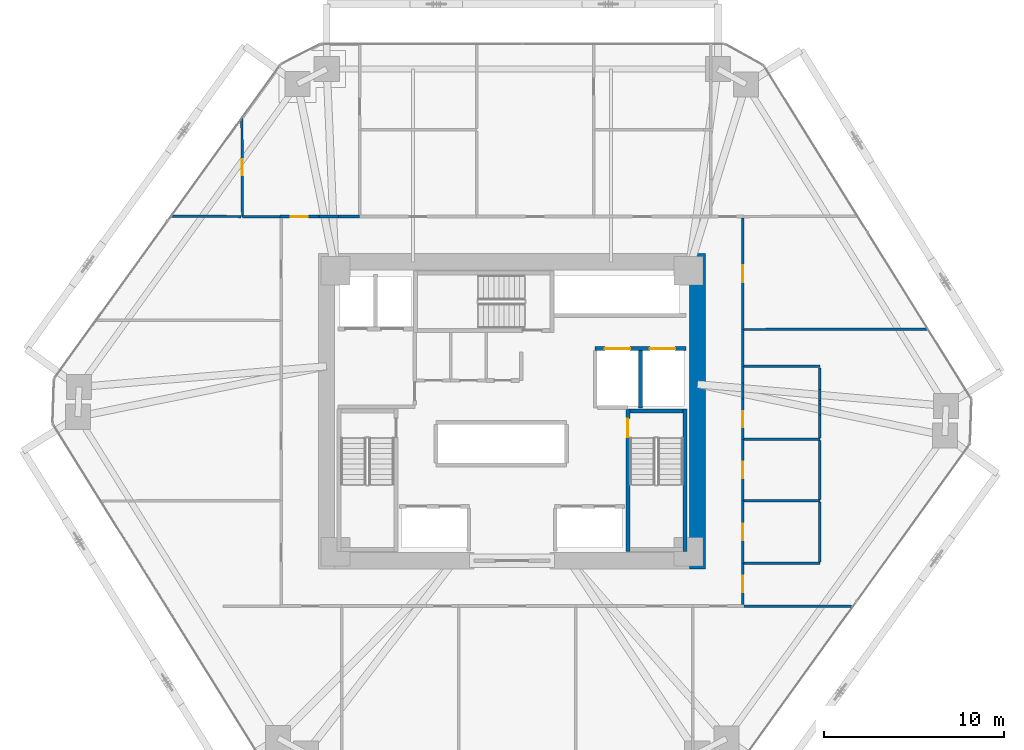
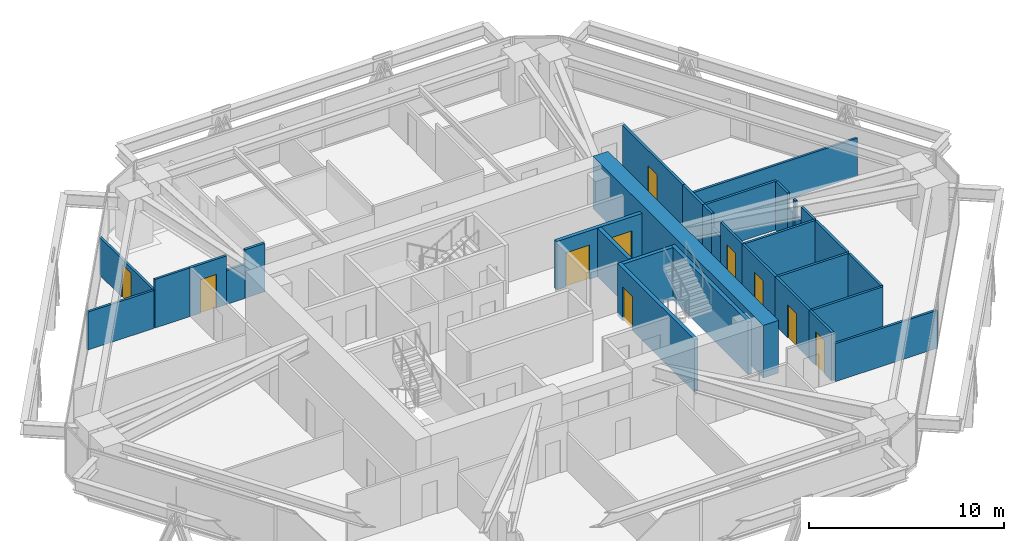
# One storey, part 15 of 17: 33 walls, 10 doors, 10 openings.
"""IFC4 building model written with IfcOpenShell, lengths in metres."""

import ifcopenshell
import ifcopenshell.guid

model = None  # the IFC model being written
_history = None  # IfcOwnerHistory: only IFC2X3 demands one
_inside = {}  # id of a spatial element -> (the spatial element, [elements in it])
_under = {}  # id of a project, library or spatial element -> (it, [spatial elements below it])
_declared = {}  # id of a project -> (the project, [libraries it declares])
_typed = {}  # id of a type object -> (the type object, [elements of that type])
_made_of = {}  # id of a material, layer set ... -> (it, [elements and type objects made of it])


def new_model(schema):
    """Start an empty IFC model of exactly this schema.

    Asked for "IFC4X3", IfcOpenShell would pick the latest addendum, in which some entities
    have other attributes; the version numbers below select the first issue.
    IFC2X3 requires an IfcOwnerHistory on every rooted entity: one is made here for all.
    """
    global model, _history
    if schema == "IFC4X3":
        model = ifcopenshell.file(schema_version=(4, 3, 0, 0))
    else:
        model = ifcopenshell.file(schema=schema)
    _inside.clear()
    _under.clear()
    _declared.clear()
    _typed.clear()
    _made_of.clear()
    _history = None
    if model.schema == "IFC2X3":
        org = make("IfcOrganization", Name="unknown")
        user = make(
            "IfcPersonAndOrganization",
            ThePerson=make("IfcPerson", FamilyName="unknown"),
            TheOrganization=org,
        )
        app = make(
            "IfcApplication",
            ApplicationDeveloper=org,
            Version="unknown",
            ApplicationFullName="unknown",
            ApplicationIdentifier="unknown",
        )
        _history = make(
            "IfcOwnerHistory",
            OwningUser=user,
            OwningApplication=app,
            ChangeAction="ADDED",
            CreationDate=0,
        )
    return model


def make(cls, **values):
    """One entity of the class cls with the attributes given. An attribute that is None is left unset."""
    return model.create_entity(
        cls, **{name: value for name, value in values.items() if value is not None}
    )


def rooted(cls, **values):
    """An entity with a GlobalId (a new one), such as an element, a storey or a relation."""
    return make(cls, GlobalId=ifcopenshell.guid.new(), OwnerHistory=_history, **values)


def si_unit(unit_type, name, prefix=None):
    """IfcSIUnit, for example si_unit("LENGTHUNIT", "METRE", prefix="MILLI")."""
    return make("IfcSIUnit", UnitType=unit_type, Prefix=prefix, Name=name)


def assignment(units):
    """IfcUnitAssignment: the units of a project."""
    return None if units is None else make("IfcUnitAssignment", Units=units)


def point(xyz):
    """IfcCartesianPoint."""
    return None if xyz is None else make("IfcCartesianPoint", Coordinates=xyz)


def direction(xyz):
    """IfcDirection."""
    return None if xyz is None else make("IfcDirection", DirectionRatios=xyz)


def frame(location, z_axis=None, x_axis=None):
    """IfcAxis2Placement3D, a coordinate frame: its origin and axes. An axis left out is left unset."""
    return make(
        "IfcAxis2Placement3D",
        Location=point(location),
        Axis=direction(z_axis),
        RefDirection=direction(x_axis),
    )


def frame_2d(location, x_axis=None):
    """IfcAxis2Placement2D, a coordinate frame in the plane: its origin and x axis."""
    return make(
        "IfcAxis2Placement2D", Location=point(location), RefDirection=direction(x_axis)
    )


def origin():
    """The frame at (0, 0, 0) with its axes left unset."""
    return frame((0.0, 0.0, 0.0))


def place(relative_to, where):
    """IfcLocalPlacement: puts the frame where relative to a parent placement (None: the world)."""
    return make(
        "IfcLocalPlacement", PlacementRelTo=relative_to, RelativePlacement=where
    )


def context(
    kind, dimensions, precision=None, world=None, true_north=None, identifier=None
):
    """IfcGeometricRepresentationContext, for example the 3D "Model" context."""
    return make(
        "IfcGeometricRepresentationContext",
        ContextIdentifier=identifier,
        ContextType=kind,
        CoordinateSpaceDimension=dimensions,
        Precision=precision,
        WorldCoordinateSystem=world,
        TrueNorth=true_north,
    )


def subcontext(parent, identifier, kind, view, scale=None):
    """IfcGeometricRepresentationSubContext, for example "Body" below "Model"."""
    return make(
        "IfcGeometricRepresentationSubContext",
        ContextIdentifier=identifier,
        ContextType=kind,
        ParentContext=parent,
        TargetScale=scale,
        TargetView=view,
    )


def project(units=None, contexts=None):
    """IfcProject with its units and contexts."""
    return rooted(
        "IfcProject",
        Name="project",
        RepresentationContexts=contexts,
        UnitsInContext=assignment(units),
    )


def spatial(cls, under=None, at=None, **own):
    """A site, building, storey or space (cls), placed at a placement, below another one or the project."""
    s = rooted(cls, ObjectPlacement=at, **own)
    if under is not None:
        _under.setdefault(under.id(), (under, []))[1].append(s)
    return s


def profile(cls, at=None, kind="AREA", **sizes):
    """A parametric profile (cls). Its sizes go by their IFC names, for example OverallWidth=200.0."""
    return make(cls, ProfileType=kind, Position=at, **sizes)


def rectangle(**sizes):
    """IfcRectangleProfileDef."""
    return profile("IfcRectangleProfileDef", **sizes)


def extrude(swept, where, along, depth):
    """IfcExtrudedAreaSolid: the profile swept, set in the frame where, extruded along a direction by depth."""
    return make(
        "IfcExtrudedAreaSolid",
        SweptArea=swept,
        Position=where,
        ExtrudedDirection=direction(along),
        Depth=depth,
    )


def shape(context_of_items, identifier, shape_type, items):
    """IfcShapeRepresentation: the items that make up one representation, for example the "Body"."""
    return make(
        "IfcShapeRepresentation",
        ContextOfItems=context_of_items,
        RepresentationIdentifier=identifier,
        RepresentationType=shape_type,
        Items=items,
    )


def source(mapping_origin, context_of_items, identifier, shape_type, items):
    """IfcRepresentationMap: a shape defined once, which mapped items show again and again."""
    return make(
        "IfcRepresentationMap",
        MappingOrigin=mapping_origin,
        MappedRepresentation=shape(context_of_items, identifier, shape_type, items),
    )


def transform(
    local_origin,
    x_axis=None,
    y_axis=None,
    z_axis=None,
    scale=None,
    scale2=None,
    scale3=None,
    uniform=True,
):
    """IfcCartesianTransformationOperator3D, or its non-uniform kind. x_axis, y_axis, z_axis: its Axis1, 2, 3."""
    if uniform:
        return make(
            "IfcCartesianTransformationOperator3D",
            Axis1=direction(x_axis),
            Axis2=direction(y_axis),
            LocalOrigin=point(local_origin),
            Scale=scale,
            Axis3=direction(z_axis),
        )
    return make(
        "IfcCartesianTransformationOperator3DnonUniform",
        Axis1=direction(x_axis),
        Axis2=direction(y_axis),
        LocalOrigin=point(local_origin),
        Scale=scale,
        Axis3=direction(z_axis),
        Scale2=scale2,
        Scale3=scale3,
    )


def mapped(mapping_source, mapping_target):
    """IfcMappedItem: shows the shape of a source again, moved by a transform."""
    return make(
        "IfcMappedItem", MappingSource=mapping_source, MappingTarget=mapping_target
    )


def material(Name=None, Category=None):
    """IfcMaterial."""
    return make("IfcMaterial", Name=Name, Category=Category)


def layer(
    of_material, thickness, ventilated=None, Name=None, Category=None, Priority=None
):
    """IfcMaterialLayer: one layer of a wall or slab, of a material (None: an air gap)."""
    return make(
        "IfcMaterialLayer",
        Material=of_material,
        LayerThickness=thickness,
        IsVentilated=ventilated,
        Name=Name,
        Category=Category,
        Priority=Priority,
    )


def layer_set(layers, Name=None):
    """IfcMaterialLayerSet."""
    return make("IfcMaterialLayerSet", MaterialLayers=layers, LayerSetName=Name)


def made_of(thing, what):
    """Note that an element or type object is made of a material, layer set ...; save() writes the relation."""
    if what is not None:
        _made_of.setdefault(what.id(), (what, []))[1].append(thing)
    return thing


def type_object(cls, material=None, **own):
    """A type object (cls), such as IfcWallType, which elements share."""
    return made_of(rooted(cls, **own), material)


def type_shapes(of_type, sources):
    """Give a type object the sources (RepresentationMaps) that its elements show as mapped items."""
    of_type.RepresentationMaps = sources


def element(
    cls,
    number,
    at=None,
    inside=None,
    cuts=None,
    type_object=None,
    material=None,
    context=None,
    identifier="Body",
    shape_type=None,
    held_by="IfcProductDefinitionShape",
    body=None,
    shapes=None,
    **own,
):
    """One element of the class cls, such as IfcWall. Its Tag is "e" and its number.

    at: its placement. inside: the storey or other place that contains it. cuts: it is an
    opening in that element (IfcRelVoidsElement). A single representation is given by context,
    identifier, shape_type and body (its items); several are given by shapes. held_by: the class
    of the entity that holds the representations. save() writes the other relations.
    """
    e = rooted(cls, Tag="e%d" % number, ObjectPlacement=at, **own)
    if body is not None:
        shapes = [shape(context, identifier, shape_type, body)]
    if shapes is not None:
        e.Representation = make(held_by, Representations=shapes)
    if inside is not None:
        _inside.setdefault(inside.id(), (inside, []))[1].append(e)
    if cuts is not None:
        rooted(
            "IfcRelVoidsElement", RelatingBuildingElement=cuts, RelatedOpeningElement=e
        )
    if type_object is not None:
        _typed.setdefault(type_object.id(), (type_object, []))[1].append(e)
    return made_of(e, material)


def fill(opening, filler):
    """IfcRelFillsElement: the door or window that sits in an opening."""
    return rooted(
        "IfcRelFillsElement",
        RelatingOpeningElement=opening,
        RelatedBuildingElement=filler,
    )


def aggregate(whole, parts):
    """IfcRelAggregates: a whole, such as a stair, and the parts it consists of."""
    return rooted("IfcRelAggregates", RelatingObject=whole, RelatedObjects=parts)


def save(model, path):
    """Write the relations noted so far, then the file.

    IfcRelAggregates (storeys below a building ...), IfcRelContainedInSpatialStructure (elements
    in a storey), IfcRelDefinesByType, IfcRelAssociatesMaterial and IfcRelDeclares: one each for
    every whole, place, type object, material and project.
    """
    for whole, parts in _under.values():
        aggregate(whole, parts)
    for where, things in _inside.values():
        rooted(
            "IfcRelContainedInSpatialStructure",
            RelatedElements=things,
            RelatingStructure=where,
        )
    for kind, things in _typed.values():
        rooted("IfcRelDefinesByType", RelatedObjects=things, RelatingType=kind)
    for what, things in _made_of.values():
        rooted("IfcRelAssociatesMaterial", RelatedObjects=things, RelatingMaterial=what)
    for by, libraries in _declared.values():
        rooted("IfcRelDeclares", RelatingContext=by, RelatedDefinitions=libraries)
    model.write(path)


model = new_model("IFC4")

# Units and contexts
model_context = context("Model", 3, precision=1e-05, world=origin(), true_north=direction((0.0, 1.0)))
body_context = subcontext(model_context, "Body", "Model", "MODEL_VIEW")
ifc_project = project(units=[si_unit("LENGTHUNIT", "METRE"), si_unit("AREAUNIT", "SQUARE_METRE"), si_unit("VOLUMEUNIT", "CUBIC_METRE"), si_unit("PLANEANGLEUNIT", "RADIAN"), si_unit("MASSUNIT", "GRAM", prefix="KILO")], contexts=[model_context])

# Site, building, storey
site_placement = place(None, origin())
site = spatial("IfcSite", under=ifc_project, at=site_placement, CompositionType="ELEMENT")
building_placement = place(site_placement, origin())
building = spatial("IfcBuilding", under=site, at=building_placement, Name="Durnholm Broadcast Tower", CompositionType="ELEMENT")
storey_placement = place(building_placement, frame((0.0, 0.0, 39.0)))
storey = spatial("IfcBuildingStorey", under=building, at=storey_placement, Name="L08", CompositionType="ELEMENT", Elevation=39.0)

# Wall
ifc_material_1 = material(Name="Concrete C70/85", Category="concrete")
ifc_layer_1 = layer(ifc_material_1, 0.89990234375)
ifc_layer_set_1 = layer_set([ifc_layer_1], Name="Concrete C70/85")
wall_type_1 = type_object("IfcWallType", Name="WALL-CW-900", PredefinedType="SHEAR", material=ifc_layer_set_1)
wall_1_placement = place(storey_placement, frame((10.300048828125, -8.75, 0.0), z_axis=(0.0, 0.0, 1.0), x_axis=(0.0, 1.0, 0.0)))
element("IfcWall", 1, at=wall_1_placement, inside=storey, type_object=wall_type_1, Name="L08 central core shear wall CW-EAST", PredefinedType="SHEAR", context=body_context, shape_type="SweptSolid", body=[
    extrude(rectangle(XDim=17.5, YDim=0.89990234375, at=frame_2d((8.75, 0.0))), origin(), (0.0, 0.0, 1.0), 3.300048828125),
])

# Wall, opening, door
ifc_material_2 = material(Name="Gypsum Metal Stud Partition", Category="concrete")
ifc_layer_2 = layer(ifc_material_2, 0.135009765625)
ifc_layer_set_2 = layer_set([ifc_layer_2], Name="Gypsum Metal Stud Partition")
wall_type_2 = type_object("IfcWallType", Name="WALL-PART-135", PredefinedType="PARTITIONING", material=ifc_layer_set_2)
wall_2_placement = place(storey_placement, frame((-14.992431640625, 16.283447265625, 0.0), z_axis=(0.0, 0.0, 1.0), x_axis=(0.005932363604, -0.999982403376, 0.0)))
wall_2 = element("IfcWall", 2, at=wall_2_placement, inside=storey, type_object=wall_type_2, Name="L08 room dividing partition 7.8", PredefinedType="PARTITIONING", context=body_context, shape_type="SweptSolid", body=[
    extrude(rectangle(XDim=5.473388671875, YDim=0.135009765625, at=frame_2d((2.73681640625, 0.0))), origin(), (0.0, 0.0, 1.0), 2.3798828125),
])
opening_1_placement = place(wall_2_placement, frame((2.286865234375, 0.0, 0.0)))
opening_1 = element("IfcOpeningElement", 3, at=opening_1_placement, cuts=wall_2, Name="Opening DW-90L", PredefinedType="OPENING", context=body_context, shape_type="SweptSolid", body=[
    extrude(rectangle(XDim=0.89990234375, YDim=2.050048828125, at=frame_2d((0.449951171875, 1.02490234375))), frame((0.0, 0.07763671875, 0.0), z_axis=(0.0, -1.0, 0.0), x_axis=(1.0, 0.0, 0.0)), (0.0, 0.0, 1.0), 0.155029296875),
])
ifc_material_3 = material(Name="Laminate Restroom Door", Category="steel")
ifc_layer_3 = layer(ifc_material_3, 0.050048828125)
ifc_layer_set_3 = layer_set([ifc_layer_3], Name="Laminate Restroom Door")
door_type_1 = type_object("IfcDoorType", Name="DOOR-WC-900L", OperationType="NOTDEFINED", PredefinedType="DOOR", material=ifc_layer_set_3)
shared_shape_1 = source(origin(), body_context, "Body", "SweptSolid", [
    extrude(rectangle(XDim=0.89990234375, YDim=2.050048828125, at=frame_2d((0.449951171875, 1.02490234375))), frame((0.0, 0.02490234375, 0.0), z_axis=(0.0, -1.0, 0.0), x_axis=(1.0, 0.0, 0.0)), (0.0, 0.0, 1.0), 0.050048828125),
])
type_shapes(door_type_1, [shared_shape_1])
door_1_placement = place(opening_1_placement, origin())
door_1 = element("IfcDoor", 4, at=door_1_placement, inside=storey, type_object=door_type_1, Name="L08 Video Edit Office 1 connecting door", OperationType="SINGLE_SWING_LEFT", OverallHeight=2.050048828125, OverallWidth=0.89990234375, PredefinedType="DOOR", context=body_context, shape_type="MappedRepresentation", body=[
    mapped(shared_shape_1, transform((0.0, 0.0, 0.0), x_axis=(1.0, 0.0, 0.0), y_axis=(0.0, 1.0, 0.0), z_axis=(0.0, 0.0, 1.0), scale=1.0)),
])
fill(opening_1, door_1)

# Walls
wall_3_placement = place(storey_placement, frame((-15.031494140625, 10.810302734375, 0.0), z_axis=(0.0, 0.0, 1.0), x_axis=(-0.999982229424, 0.005961613542, 0.0)))
element("IfcWall", 5, at=wall_3_placement, inside=storey, type_object=wall_type_2, Name="L08 room dividing partition 7.22", PredefinedType="PARTITIONING", context=body_context, shape_type="SweptSolid", body=[
    extrude(rectangle(XDim=3.890380859375, YDim=0.135009765625, at=frame_2d((1.9453125, 0.0))), origin(), (0.0, 0.0, 1.0), 2.3798828125),
])
wall_4_placement = place(storey_placement, frame((-12.889892578125, 10.81005859375, 0.0), z_axis=(0.0, 0.0, 1.0), x_axis=(-1.0, 0.0, 0.0)))
element("IfcWall", 6, at=wall_4_placement, inside=storey, type_object=wall_type_2, Name="L08 room dividing partition 8.22", PredefinedType="PARTITIONING", context=body_context, shape_type="SweptSolid", body=[
    extrude(rectangle(XDim=2.070068359375, YDim=0.135009765625, at=frame_2d((1.03515625, 0.0))), origin(), (0.0, 0.0, 1.0), 3.044921875),
])
wall_5_placement = place(storey_placement, frame((12.889892578125, -10.810302734375, 0.0), z_axis=(0.0, 0.0, 1.0), x_axis=(0.999992607823, -0.003845035728, 0.0)))
element("IfcWall", 7, at=wall_5_placement, inside=storey, type_object=wall_type_2, Name="L08 room dividing partition 19.23", PredefinedType="PARTITIONING", context=body_context, shape_type="SweptSolid", body=[
    extrude(rectangle(XDim=6.031982421875, YDim=0.135009765625, at=frame_2d((3.01611328125, 0.0))), origin(), (0.0, 0.0, 1.0), 2.3798828125),
])
wall_6_placement = place(storey_placement, frame((12.888916015625, 4.540283203125, 0.0), z_axis=(0.0, 0.0, 1.0), x_axis=(0.99999792939, 0.002034997821, 0.0)))
element("IfcWall", 8, at=wall_6_placement, inside=storey, type_object=wall_type_2, Name="L08 room dividing partition 23.24", PredefinedType="PARTITIONING", context=body_context, shape_type="SweptSolid", body=[
    extrude(rectangle(XDim=10.197509765625, YDim=0.135009765625, at=frame_2d((5.0986328125, 0.0))), origin(), (0.0, 0.0, 1.0), 2.3798828125),
])
ifc_material_4 = material(Name="Acoustic Gypsum Stud Partition", Category="concrete")
ifc_layer_4 = layer(ifc_material_4, 0.14990234375)
ifc_layer_set_4 = layer_set([ifc_layer_4], Name="Acoustic Gypsum Stud Partition")
wall_type_3 = type_object("IfcWallType", Name="WALL-PART-150", PredefinedType="PARTITIONING", material=ifc_layer_set_4)
wall_7_placement = place(storey_placement, frame((-8.4599609375, 10.81005859375, 0.0), z_axis=(0.0, 0.0, 1.0), x_axis=(-1.0, 0.0, 0.0)))
element("IfcWall", 9, at=wall_7_placement, inside=storey, type_object=wall_type_3, Name="L08 Video Edit Office 2 corridor partition", PredefinedType="PARTITIONING", context=body_context, shape_type="SweptSolid", body=[
    extrude(rectangle(XDim=1.16748046875, YDim=0.14990234375, at=frame_2d((0.583740234375, 0.0))), origin(), (0.0, 0.0, 1.0), 3.044921875),
])

# Wall, opening, door
wall_8_placement = place(storey_placement, frame((-10.719970703125, 10.81005859375, 0.0), z_axis=(0.0, 0.0, 1.0), x_axis=(-1.0, 0.0, 0.0)))
wall_8 = element("IfcWall", 10, at=wall_8_placement, inside=storey, type_object=wall_type_3, Name="L08 Video Edit Office 2 corridor partition", PredefinedType="PARTITIONING", context=body_context, shape_type="SweptSolid", body=[
    extrude(rectangle(XDim=2.169921875, YDim=0.14990234375, at=frame_2d((1.0849609375, 0.0))), origin(), (0.0, 0.0, 1.0), 3.044921875),
])
opening_2_placement = place(wall_8_placement, frame((0.610107421875, 0.0, 0.0)))
opening_2 = element("IfcOpeningElement", 11, at=opening_2_placement, cuts=wall_8, Name="Opening DR-95L", PredefinedType="OPENING", context=body_context, shape_type="SweptSolid", body=[
    extrude(rectangle(XDim=0.949951171875, YDim=2.10009765625, at=frame_2d((0.47509765625, 1.050048828125))), frame((0.0, 0.0849609375, 0.0), z_axis=(0.0, -1.0, 0.0), x_axis=(1.0, 0.0, 0.0)), (0.0, 0.0, 1.0), 0.169921875),
])
ifc_material_5 = material(Name="Acoustic Oak Veneer Timber Door", Category="wood")
ifc_layer_5 = layer(ifc_material_5, 0.050048828125)
ifc_layer_set_5 = layer_set([ifc_layer_5], Name="Acoustic Oak Veneer Timber Door")
door_type_2 = type_object("IfcDoorType", Name="DOOR-RM-950L", OperationType="NOTDEFINED", PredefinedType="DOOR", material=ifc_layer_set_5)
shared_shape_2 = source(origin(), body_context, "Body", "SweptSolid", [
    extrude(rectangle(XDim=0.949951171875, YDim=2.10009765625, at=frame_2d((0.47509765625, 1.050048828125))), frame((0.0, 0.02490234375, 0.0), z_axis=(0.0, -1.0, 0.0), x_axis=(1.0, 0.0, 0.0)), (0.0, 0.0, 1.0), 0.050048828125),
])
type_shapes(door_type_2, [shared_shape_2])
door_2_placement = place(opening_2_placement, origin())
door_2 = element("IfcDoor", 12, at=door_2_placement, inside=storey, type_object=door_type_2, Name="L08 Video Edit Office 2 entrance door", OperationType="SINGLE_SWING_LEFT", OverallHeight=2.10009765625, OverallWidth=0.949951171875, PredefinedType="DOOR", context=body_context, shape_type="MappedRepresentation", body=[
    mapped(shared_shape_2, transform((0.0, 0.0, 0.0), x_axis=(1.0, 0.0, 0.0), y_axis=(0.0, 1.0, 0.0), z_axis=(0.0, 0.0, 1.0), scale=1.0)),
])
fill(opening_2, door_2)

# Wall
wall_9_placement = place(storey_placement, frame((-9.62744140625, 10.81005859375, 0.0), z_axis=(0.0, 0.0, 1.0), x_axis=(-1.0, 0.0, 0.0)))
element("IfcWall", 13, at=wall_9_placement, inside=storey, type_object=wall_type_3, Name="L08 Video Edit Office 2 corridor partition", PredefinedType="PARTITIONING", context=body_context, shape_type="SweptSolid", body=[
    extrude(rectangle(XDim=1.092529296875, YDim=0.14990234375, at=frame_2d((0.54638671875, 0.0))), origin(), (0.0, 0.0, 1.0), 2.130126953125),
])

# Wall, opening, door
wall_10_placement = place(storey_placement, frame((12.81005859375, -10.73095703125, 0.0), z_axis=(0.0, 0.0, 1.0), x_axis=(0.0, 1.0, 0.0)))
wall_10 = element("IfcWall", 14, at=wall_10_placement, inside=storey, type_object=wall_type_3, Name="L08 Anchor Prep Office corridor partition", PredefinedType="PARTITIONING", context=body_context, shape_type="SweptSolid", body=[
    extrude(rectangle(XDim=2.291015625, YDim=0.14990234375, at=frame_2d((1.1455078125, 0.0))), origin(), (0.0, 0.0, 1.0), 3.044921875),
])
opening_3_placement = place(wall_10_placement, frame((0.685546875, 0.0, 0.0)))
opening_3 = element("IfcOpeningElement", 15, at=opening_3_placement, cuts=wall_10, Name="Opening DR-92L", PredefinedType="OPENING", context=body_context, shape_type="SweptSolid", body=[
    extrude(rectangle(XDim=0.919921875, YDim=2.10009765625, at=frame_2d((0.4599609375, 1.050048828125))), frame((0.0, 0.0849609375, 0.0), z_axis=(0.0, -1.0, 0.0), x_axis=(1.0, 0.0, 0.0)), (0.0, 0.0, 1.0), 0.169921875),
])
ifc_material_6 = material(Name="Oak Veneer Office Door", Category="wood")
ifc_layer_6 = layer(ifc_material_6, 0.050048828125)
ifc_layer_set_6 = layer_set([ifc_layer_6], Name="Oak Veneer Office Door")
door_type_3 = type_object("IfcDoorType", Name="DOOR-RM-920L", OperationType="NOTDEFINED", PredefinedType="DOOR", material=ifc_layer_set_6)
shared_shape_3 = source(origin(), body_context, "Body", "SweptSolid", [
    extrude(rectangle(XDim=0.919921875, YDim=2.10009765625, at=frame_2d((0.4599609375, 1.050048828125))), frame((0.0, 0.02490234375, 0.0), z_axis=(0.0, -1.0, 0.0), x_axis=(1.0, 0.0, 0.0)), (0.0, 0.0, 1.0), 0.050048828125),
])
type_shapes(door_type_3, [shared_shape_3])
door_3_placement = place(opening_3_placement, origin())
door_3 = element("IfcDoor", 16, at=door_3_placement, inside=storey, type_object=door_type_3, Name="L08 Anchor Prep Office entrance door", OperationType="SINGLE_SWING_LEFT", OverallHeight=2.10009765625, OverallWidth=0.919921875, PredefinedType="DOOR", context=body_context, shape_type="MappedRepresentation", body=[
    mapped(shared_shape_3, transform((0.0, 0.0, 0.0), x_axis=(1.0, 0.0, 0.0), y_axis=(0.0, 1.0, 0.0), z_axis=(0.0, 0.0, 1.0), scale=1.0)),
])
fill(opening_3, door_3)

# Wall
wall_11_placement = place(storey_placement, frame((12.81005859375, 2.489990234375, 0.0), z_axis=(0.0, 0.0, 1.0), x_axis=(0.0, 1.0, 0.0)))
element("IfcWall", 17, at=wall_11_placement, inside=storey, type_object=wall_type_3, Name="L08 Anchor Prep Office corridor partition", PredefinedType="PARTITIONING", context=body_context, shape_type="SweptSolid", body=[
    extrude(rectangle(XDim=2.050048828125, YDim=0.14990234375, at=frame_2d((1.02490234375, 0.0))), origin(), (0.0, 0.0, 1.0), 3.044921875),
])

# Wall, opening, door
wall_12_placement = place(storey_placement, frame((12.81005859375, 4.5400390625, 0.0), z_axis=(0.0, 0.0, 1.0), x_axis=(0.0, 1.0, 0.0)))
wall_12 = element("IfcWall", 18, at=wall_12_placement, inside=storey, type_object=wall_type_3, Name="L08 Reporter Office 1 corridor partition", PredefinedType="PARTITIONING", context=body_context, shape_type="SweptSolid", body=[
    extrude(rectangle(XDim=6.19091796875, YDim=0.14990234375, at=frame_2d((3.095458984375, 0.0))), origin(), (0.0, 0.0, 1.0), 3.044921875),
])
opening_4_placement = place(wall_12_placement, frame((2.62060546875, 0.0, 0.0)))
opening_4 = element("IfcOpeningElement", 19, at=opening_4_placement, cuts=wall_12, Name="Opening DR-95R", PredefinedType="OPENING", context=body_context, shape_type="SweptSolid", body=[
    extrude(rectangle(XDim=0.949951171875, YDim=2.10009765625, at=frame_2d((0.47509765625, 1.050048828125))), frame((0.0, 0.0849609375, 0.0), z_axis=(0.0, -1.0, 0.0), x_axis=(1.0, 0.0, 0.0)), (0.0, 0.0, 1.0), 0.169921875),
])
ifc_layer_7 = layer(ifc_material_5, 0.050048828125)
ifc_layer_set_7 = layer_set([ifc_layer_7], Name="Acoustic Oak Veneer Timber Door")
door_type_4 = type_object("IfcDoorType", Name="DOOR-RM-950R", OperationType="NOTDEFINED", PredefinedType="DOOR", material=ifc_layer_set_7)
shared_shape_4 = source(origin(), body_context, "Body", "SweptSolid", [
    extrude(rectangle(XDim=0.949951171875, YDim=2.10009765625, at=frame_2d((0.47509765625, 1.050048828125))), frame((0.0, 0.02490234375, 0.0), z_axis=(0.0, -1.0, 0.0), x_axis=(1.0, 0.0, 0.0)), (0.0, 0.0, 1.0), 0.050048828125),
])
type_shapes(door_type_4, [shared_shape_4])
door_4_placement = place(opening_4_placement, origin())
door_4 = element("IfcDoor", 20, at=door_4_placement, inside=storey, type_object=door_type_4, Name="L08 Reporter Office 1 entrance door", OperationType="SINGLE_SWING_RIGHT", OverallHeight=2.10009765625, OverallWidth=0.949951171875, PredefinedType="DOOR", context=body_context, shape_type="MappedRepresentation", body=[
    mapped(shared_shape_4, transform((0.0, 0.0, 0.0), x_axis=(1.0, 0.0, 0.0), y_axis=(0.0, 1.0, 0.0), z_axis=(0.0, 0.0, 1.0), scale=1.0)),
])
fill(opening_4, door_4)

# Wall, openings, doors
ifc_material_7 = material(Name="Concrete Blockwork C30/37", Category="masonry")
ifc_layer_8 = layer(ifc_material_7, 0.219970703125)
ifc_layer_set_8 = layer_set([ifc_layer_8], Name="Concrete Blockwork C30/37")
wall_type_4 = type_object("IfcWallType", Name="WALL-SHAFT-220", PredefinedType="SOLIDWALL", material=ifc_layer_set_8)
wall_13_placement = place(storey_placement, frame((4.60009765625, 3.47998046875, 0.0), z_axis=(0.0, 0.0, 1.0), x_axis=(1.0, 0.0, 0.0)))
wall_13 = element("IfcWall", 21, at=wall_13_placement, inside=storey, type_object=wall_type_4, Name="L08 freight service lifts north front wall", PredefinedType="SOLIDWALL", context=body_context, shape_type="SweptSolid", body=[
    extrude(rectangle(XDim=5.0498046875, YDim=0.219970703125, at=frame_2d((2.52490234375, 0.0))), origin(), (0.0, 0.0, 1.0), 3.044921875),
])
opening_5_placement = place(wall_13_placement, frame((0.550048828125, 0.0, 0.0)))
opening_5 = element("IfcOpeningElement", 22, at=opening_5_placement, cuts=wall_13, Name="Opening LD-SVL-2", PredefinedType="OPENING", context=body_context, shape_type="SweptSolid", body=[
    extrude(rectangle(XDim=1.39990234375, YDim=2.14990234375, at=frame_2d((0.699951171875, 1.074951171875))), frame((0.0, 0.1201171875, 0.0), z_axis=(0.0, -1.0, 0.0), x_axis=(1.0, 0.0, 0.0)), (0.0, 0.0, 1.0), 0.239990234375),
])
opening_6_placement = place(wall_13_placement, frame((3.050048828125, 0.0, 0.0)))
opening_6 = element("IfcOpeningElement", 23, at=opening_6_placement, cuts=wall_13, Name="Opening LD-SVL-1", PredefinedType="OPENING", context=body_context, shape_type="SweptSolid", body=[
    extrude(rectangle(XDim=1.39990234375, YDim=2.14990234375, at=frame_2d((0.699951171875, 1.074951171875))), frame((0.0, 0.1201171875, 0.0), z_axis=(0.0, -1.0, 0.0), x_axis=(1.0, 0.0, 0.0)), (0.0, 0.0, 1.0), 0.239990234375),
])
ifc_material_8 = material(Name="Freight Elevator Bi-Parting Sliding Landing Door", Category="steel")
ifc_layer_9 = layer(ifc_material_8, 0.050048828125)
ifc_layer_set_9 = layer_set([ifc_layer_9], Name="Freight Elevator Bi-Parting Sliding Landing Door")
door_type_5 = type_object("IfcDoorType", Name="DOOR-LIFT-SVL", OperationType="DOUBLE_DOOR_SLIDING", PredefinedType="DOOR", material=ifc_layer_set_9)
shared_shape_5 = source(origin(), body_context, "Body", "SweptSolid", [
    extrude(rectangle(XDim=1.39990234375, YDim=2.14990234375, at=frame_2d((0.699951171875, 1.074951171875))), frame((0.0, 0.02490234375, 0.0), z_axis=(0.0, -1.0, 0.0), x_axis=(1.0, 0.0, 0.0)), (0.0, 0.0, 1.0), 0.050048828125),
])
type_shapes(door_type_5, [shared_shape_5])
door_5_placement = place(opening_5_placement, origin())
door_5 = element("IfcDoor", 24, at=door_5_placement, inside=storey, type_object=door_type_5, Name="L08 freight service elevator SVL-2 sliding landing door", OperationType="DOUBLE_DOOR_SLIDING", OverallHeight=2.14990234375, OverallWidth=1.39990234375, PredefinedType="DOOR", context=body_context, shape_type="MappedRepresentation", body=[
    mapped(shared_shape_5, transform((0.0, 0.0, 0.0), x_axis=(1.0, 0.0, 0.0), y_axis=(0.0, 1.0, 0.0), z_axis=(0.0, 0.0, 1.0), scale=1.0)),
])
fill(opening_5, door_5)
door_6_placement = place(opening_6_placement, origin())
door_6 = element("IfcDoor", 25, at=door_6_placement, inside=storey, type_object=door_type_5, Name="L08 freight service elevator SVL-1 sliding landing door", OperationType="DOUBLE_DOOR_SLIDING", OverallHeight=2.14990234375, OverallWidth=1.39990234375, PredefinedType="DOOR", context=body_context, shape_type="MappedRepresentation", body=[
    mapped(shared_shape_5, transform((0.0, 0.0, 0.0), x_axis=(1.0, 0.0, 0.0), y_axis=(0.0, 1.0, 0.0), z_axis=(0.0, 0.0, 1.0), scale=1.0)),
])
fill(opening_6, door_6)

# Walls
wall_14_placement = place(storey_placement, frame((7.1201171875, 0.179931640625, 0.0), z_axis=(0.0, 0.0, 1.0), x_axis=(0.0, 1.0, 0.0)))
element("IfcWall", 26, at=wall_14_placement, inside=storey, type_object=wall_type_4, Name="L08 freight service lifts divider wall", PredefinedType="SOLIDWALL", context=body_context, shape_type="SweptSolid", body=[
    extrude(rectangle(XDim=3.18603515625, YDim=0.219970703125, at=frame_2d((1.593017578125, 0.0))), origin(), (0.0, 0.0, 1.0), 3.044921875),
])
ifc_material_9 = material(Name="Concrete C50/60", Category="concrete")
ifc_layer_10 = layer(ifc_material_9, 0.219970703125)
ifc_layer_set_10 = layer_set([ifc_layer_10], Name="Concrete C50/60")
wall_type_5 = type_object("IfcWallType", Name="WALL-SW-220", PredefinedType="SHEAR", material=ifc_layer_set_10)
wall_15_placement = place(storey_placement, frame((9.610107421875, -7.77001953125, -0.239990234375), z_axis=(0.0, 0.0, 1.0), x_axis=(0.0, 1.0, 0.0)))
element("IfcWall", 27, at=wall_15_placement, inside=storey, type_object=wall_type_5, Name="L08 stair ST-2 structural shaft wall E", PredefinedType="SHEAR", context=body_context, shape_type="SweptSolid", body=[
    extrude(rectangle(XDim=7.89013671875, YDim=0.219970703125, at=frame_2d((3.945068359375, 0.0))), origin(), (0.0, 0.0, 1.0), 3.300048828125),
])

# Wall, opening, door
wall_16_placement = place(storey_placement, frame((6.429931640625, 0.1201171875, -0.239990234375), z_axis=(0.0, 0.0, 1.0), x_axis=(0.0, -1.0, 0.0)))
wall_16 = element("IfcWall", 28, at=wall_16_placement, inside=storey, type_object=wall_type_5, Name="L08 stair ST-2 structural shaft wall W", PredefinedType="SHEAR", context=body_context, shape_type="SweptSolid", body=[
    extrude(rectangle(XDim=7.89013671875, YDim=0.219970703125, at=frame_2d((3.945068359375, 0.0))), origin(), (0.0, 0.0, 1.0), 3.300048828125),
])
opening_7_placement = place(wall_16_placement, frame((0.52001953125, 0.0, 0.0)))
opening_7 = element("IfcOpeningElement", 29, at=opening_7_placement, cuts=wall_16, Name="Opening DS-90R", PredefinedType="OPENING", context=body_context, shape_type="SweptSolid", body=[
    extrude(rectangle(XDim=1.050048828125, YDim=2.14990234375, at=frame_2d((0.52490234375, 1.074951171875))), frame((0.0, 0.1201171875, 0.0), z_axis=(0.0, -1.0, 0.0), x_axis=(1.0, 0.0, 0.0)), (0.0, 0.0, 1.0), 0.239990234375),
])
ifc_material_10 = material(Name="Fire-Rated Steel Door", Category="steel")
ifc_layer_11 = layer(ifc_material_10, 0.050048828125)
ifc_layer_set_11 = layer_set([ifc_layer_11], Name="Fire-Rated Steel Door")
door_type_6 = type_object("IfcDoorType", Name="DOOR-ST-FD90-R", OperationType="NOTDEFINED", PredefinedType="DOOR", material=ifc_layer_set_11)
shared_shape_6 = source(origin(), body_context, "Body", "SweptSolid", [
    extrude(rectangle(XDim=1.050048828125, YDim=2.14990234375, at=frame_2d((0.52490234375, 1.074951171875))), frame((0.0, 0.02490234375, 0.0), z_axis=(0.0, -1.0, 0.0), x_axis=(1.0, 0.0, 0.0)), (0.0, 0.0, 1.0), 0.050048828125),
])
type_shapes(door_type_6, [shared_shape_6])
door_7_placement = place(opening_7_placement, origin())
door_7 = element("IfcDoor", 30, at=door_7_placement, inside=storey, type_object=door_type_6, Name="L08 exit stair ST-2 fire door", OperationType="SINGLE_SWING_RIGHT", OverallHeight=2.14990234375, OverallWidth=1.050048828125, PredefinedType="DOOR", context=body_context, shape_type="MappedRepresentation", body=[
    mapped(shared_shape_6, transform((0.0, 0.0, 0.0), x_axis=(1.0, 0.0, 0.0), y_axis=(0.0, 1.0, 0.0), z_axis=(0.0, 0.0, 1.0), scale=1.0)),
])
fill(opening_7, door_7)

# Wall
wall_17_placement = place(storey_placement, frame((9.5, 0.010009765625, -0.239990234375), z_axis=(0.0, 0.0, 1.0), x_axis=(-1.0, 0.0, 0.0)))
element("IfcWall", 31, at=wall_17_placement, inside=storey, type_object=wall_type_5, Name="L08 stair ST-2 structural shaft wall N", PredefinedType="SHEAR", context=body_context, shape_type="SweptSolid", body=[
    extrude(rectangle(XDim=2.9599609375, YDim=0.219970703125, at=frame_2d((1.47998046875, 0.0))), origin(), (0.0, 0.0, 1.0), 3.300048828125),
])

# Wall, opening, door
ifc_material_11 = material(Name="Moisture-Resistant Tile Partition", Category="concrete")
ifc_layer_12 = layer(ifc_material_11, 0.139892578125)
ifc_layer_set_12 = layer_set([ifc_layer_12], Name="Moisture-Resistant Tile Partition")
wall_type_6 = type_object("IfcWallType", Name="WALL-WC-140", PredefinedType="PARTITIONING", material=ifc_layer_set_12)
wall_18_placement = place(storey_placement, frame((12.81005859375, -8.43994140625, 0.0), z_axis=(0.0, 0.0, 1.0), x_axis=(0.0, 1.0, 0.0)))
wall_18 = element("IfcWall", 32, at=wall_18_placement, inside=storey, type_object=wall_type_6, Name="L08 Men's Restroom corridor partition", PredefinedType="PARTITIONING", context=body_context, shape_type="SweptSolid", body=[
    extrude(rectangle(XDim=3.47998046875, YDim=0.139892578125, at=frame_2d((1.739990234375, 0.0))), origin(), (0.0, 0.0, 1.0), 3.044921875),
])
opening_8_placement = place(wall_18_placement, frame((1.2900390625, 0.0, 0.0)))
opening_8 = element("IfcOpeningElement", 33, at=opening_8_placement, cuts=wall_18, Name="Opening DW-90R", PredefinedType="OPENING", context=body_context, shape_type="SweptSolid", body=[
    extrude(rectangle(XDim=0.89990234375, YDim=2.050048828125, at=frame_2d((0.449951171875, 1.02490234375))), frame((0.0, 0.080078125, 0.0), z_axis=(0.0, -1.0, 0.0), x_axis=(1.0, 0.0, 0.0)), (0.0, 0.0, 1.0), 0.159912109375),
])
ifc_layer_13 = layer(ifc_material_3, 0.050048828125)
ifc_layer_set_13 = layer_set([ifc_layer_13], Name="Laminate Restroom Door")
door_type_7 = type_object("IfcDoorType", Name="DOOR-WC-900R", OperationType="NOTDEFINED", PredefinedType="DOOR", material=ifc_layer_set_13)
shared_shape_7 = source(origin(), body_context, "Body", "SweptSolid", [
    extrude(rectangle(XDim=0.89990234375, YDim=2.050048828125, at=frame_2d((0.449951171875, 1.02490234375))), frame((0.0, 0.02490234375, 0.0), z_axis=(0.0, -1.0, 0.0), x_axis=(1.0, 0.0, 0.0)), (0.0, 0.0, 1.0), 0.050048828125),
])
type_shapes(door_type_7, [shared_shape_7])
door_8_placement = place(opening_8_placement, origin())
door_8 = element("IfcDoor", 34, at=door_8_placement, inside=storey, type_object=door_type_7, Name="L08 Men's Restroom entrance door", OperationType="SINGLE_SWING_RIGHT", OverallHeight=2.050048828125, OverallWidth=0.89990234375, PredefinedType="DOOR", context=body_context, shape_type="MappedRepresentation", body=[
    mapped(shared_shape_7, transform((0.0, 0.0, 0.0), x_axis=(1.0, 0.0, 0.0), y_axis=(0.0, 1.0, 0.0), z_axis=(0.0, 0.0, 1.0), scale=1.0)),
])
fill(opening_8, door_8)

wall_19_placement = place(storey_placement, frame((12.81005859375, -4.9599609375, 0.0), z_axis=(0.0, 0.0, 1.0), x_axis=(0.0, 1.0, 0.0)))
wall_19 = element("IfcWall", 35, at=wall_19_placement, inside=storey, type_object=wall_type_6, Name="L08 Women's Restroom corridor partition", PredefinedType="PARTITIONING", context=body_context, shape_type="SweptSolid", body=[
    extrude(rectangle(XDim=3.39990234375, YDim=0.139892578125, at=frame_2d((1.699951171875, 0.0))), origin(), (0.0, 0.0, 1.0), 3.044921875),
])
opening_9_placement = place(wall_19_placement, frame((1.25, 0.0, 0.0)))
opening_9 = element("IfcOpeningElement", 36, at=opening_9_placement, cuts=wall_19, Name="Opening DW-90L", PredefinedType="OPENING", context=body_context, shape_type="SweptSolid", body=[
    extrude(rectangle(XDim=0.89990234375, YDim=2.050048828125, at=frame_2d((0.449951171875, 1.02490234375))), frame((0.0, 0.080078125, 0.0), z_axis=(0.0, -1.0, 0.0), x_axis=(1.0, 0.0, 0.0)), (0.0, 0.0, 1.0), 0.159912109375),
])
door_9_placement = place(opening_9_placement, origin())
door_9 = element("IfcDoor", 37, at=door_9_placement, inside=storey, type_object=door_type_1, Name="L08 Women's Restroom entrance door", OperationType="SINGLE_SWING_LEFT", OverallHeight=2.050048828125, OverallWidth=0.89990234375, PredefinedType="DOOR", context=body_context, shape_type="MappedRepresentation", body=[
    mapped(shared_shape_1, transform((0.0, 0.0, 0.0), x_axis=(1.0, 0.0, 0.0), y_axis=(0.0, 1.0, 0.0), z_axis=(0.0, 0.0, 1.0), scale=1.0)),
])
fill(opening_9, door_9)

wall_20_placement = place(storey_placement, frame((12.81005859375, -1.56005859375, 0.0), z_axis=(0.0, 0.0, 1.0), x_axis=(0.0, 1.0, 0.0)))
wall_20 = element("IfcWall", 38, at=wall_20_placement, inside=storey, type_object=wall_type_6, Name="L08 Accessible Restroom corridor partition", PredefinedType="PARTITIONING", context=body_context, shape_type="SweptSolid", body=[
    extrude(rectangle(XDim=2.231201171875, YDim=0.139892578125, at=frame_2d((1.11572265625, 0.0))), origin(), (0.0, 0.0, 1.0), 3.044921875),
])
opening_10_placement = place(wall_20_placement, frame((0.66552734375, 0.0, 0.0)))
opening_10 = element("IfcOpeningElement", 39, at=opening_10_placement, cuts=wall_20, Name="Opening DW-90R", PredefinedType="OPENING", context=body_context, shape_type="SweptSolid", body=[
    extrude(rectangle(XDim=0.89990234375, YDim=2.050048828125, at=frame_2d((0.449951171875, 1.02490234375))), frame((0.0, 0.080078125, 0.0), z_axis=(0.0, -1.0, 0.0), x_axis=(1.0, 0.0, 0.0)), (0.0, 0.0, 1.0), 0.159912109375),
])
door_10_placement = place(opening_10_placement, origin())
door_10 = element("IfcDoor", 40, at=door_10_placement, inside=storey, type_object=door_type_7, Name="L08 Accessible Restroom entrance door", OperationType="SINGLE_SWING_RIGHT", OverallHeight=2.050048828125, OverallWidth=0.89990234375, PredefinedType="DOOR", context=body_context, shape_type="MappedRepresentation", body=[
    mapped(shared_shape_7, transform((0.0, 0.0, 0.0), x_axis=(1.0, 0.0, 0.0), y_axis=(0.0, 1.0, 0.0), z_axis=(0.0, 0.0, 1.0), scale=1.0)),
])
fill(opening_10, door_10)

# Walls
wall_21_placement = place(storey_placement, frame((12.81005859375, 1.584716796875, 0.0), z_axis=(0.0, 0.0, 1.0), x_axis=(0.0, 1.0, 0.0)))
element("IfcWall", 41, at=wall_21_placement, inside=storey, type_object=wall_type_6, Name="L08 Accessible Restroom corridor partition", PredefinedType="PARTITIONING", context=body_context, shape_type="SweptSolid", body=[
    extrude(rectangle(XDim=0.9052734375, YDim=0.139892578125, at=frame_2d((0.45263671875, 0.0))), origin(), (0.0, 0.0, 1.0), 3.044921875),
])
wall_22_placement = place(storey_placement, frame((12.81005859375, 0.671142578125, 0.0), z_axis=(0.0, 0.0, 1.0), x_axis=(0.0, 1.0, 0.0)))
element("IfcWall", 42, at=wall_22_placement, inside=storey, type_object=wall_type_6, Name="L08 Accessible Restroom corridor partition", PredefinedType="PARTITIONING", context=body_context, shape_type="SweptSolid", body=[
    extrude(rectangle(XDim=0.91357421875, YDim=0.139892578125, at=frame_2d((0.456787109375, 0.0))), origin(), (0.0, 0.0, 1.0), 2.130126953125),
])
wall_23_placement = place(storey_placement, frame((12.884033203125, -4.9599609375, 0.0), z_axis=(0.0, 0.0, 1.0), x_axis=(1.0, 0.0, 0.0)))
element("IfcWall", 43, at=wall_23_placement, inside=storey, type_object=wall_type_6, Name="L08 room dividing partition 4.5", PredefinedType="PARTITIONING", context=body_context, shape_type="SweptSolid", body=[
    extrude(rectangle(XDim=4.2060546875, YDim=0.139892578125, at=frame_2d((2.10302734375, 0.0))), origin(), (0.0, 0.0, 1.0), 3.044921875),
])
wall_24_placement = place(storey_placement, frame((17.090087890625, -8.43994140625, 0.0), z_axis=(0.0, 0.0, 1.0), x_axis=(-1.0, 0.0, 0.0)))
element("IfcWall", 44, at=wall_24_placement, inside=storey, type_object=wall_type_6, Name="L08 room dividing partition 4.23", PredefinedType="PARTITIONING", context=body_context, shape_type="SweptSolid", body=[
    extrude(rectangle(XDim=4.201171875, YDim=0.139892578125, at=frame_2d((2.1005859375, 0.0))), origin(), (0.0, 0.0, 1.0), 3.044921875),
])
wall_25_placement = place(storey_placement, frame((17.090087890625, -5.033935546875, 0.0), z_axis=(0.0, 0.0, 1.0), x_axis=(0.0, -1.0, 0.0)))
element("IfcWall", 45, at=wall_25_placement, inside=storey, type_object=wall_type_6, Name="L08 room dividing partition 4.23", PredefinedType="PARTITIONING", context=body_context, shape_type="SweptSolid", body=[
    extrude(rectangle(XDim=3.33203125, YDim=0.139892578125, at=frame_2d((1.666015625, 0.0))), origin(), (0.0, 0.0, 1.0), 3.044921875),
])
wall_26_placement = place(storey_placement, frame((12.884033203125, -1.56005859375, 0.0), z_axis=(0.0, 0.0, 1.0), x_axis=(1.0, 0.0, 0.0)))
element("IfcWall", 46, at=wall_26_placement, inside=storey, type_object=wall_type_6, Name="L08 room dividing partition 5.6", PredefinedType="PARTITIONING", context=body_context, shape_type="SweptSolid", body=[
    extrude(rectangle(XDim=4.2060546875, YDim=0.139892578125, at=frame_2d((2.10302734375, 0.0))), origin(), (0.0, 0.0, 1.0), 3.044921875),
])
wall_27_placement = place(storey_placement, frame((17.090087890625, -1.634033203125, 0.0), z_axis=(0.0, 0.0, 1.0), x_axis=(0.0, -1.0, 0.0)))
element("IfcWall", 47, at=wall_27_placement, inside=storey, type_object=wall_type_6, Name="L08 room dividing partition 5.23", PredefinedType="PARTITIONING", context=body_context, shape_type="SweptSolid", body=[
    extrude(rectangle(XDim=3.251953125, YDim=0.139892578125, at=frame_2d((1.6259765625, 0.0))), origin(), (0.0, 0.0, 1.0), 3.044921875),
])
wall_28_placement = place(storey_placement, frame((12.888916015625, 2.489990234375, 0.0), z_axis=(0.0, 0.0, 1.0), x_axis=(1.0, 0.0, 0.0)))
element("IfcWall", 48, at=wall_28_placement, inside=storey, type_object=wall_type_6, Name="L08 room dividing partition 6.23", PredefinedType="PARTITIONING", context=body_context, shape_type="SweptSolid", body=[
    extrude(rectangle(XDim=4.201171875, YDim=0.139892578125, at=frame_2d((2.1005859375, 0.0))), origin(), (0.0, 0.0, 1.0), 3.044921875),
])
wall_29_placement = place(storey_placement, frame((17.090087890625, 2.416015625, 0.0), z_axis=(0.0, 0.0, 1.0), x_axis=(0.0, -1.0, 0.0)))
element("IfcWall", 49, at=wall_29_placement, inside=storey, type_object=wall_type_6, Name="L08 room dividing partition 6.23", PredefinedType="PARTITIONING", context=body_context, shape_type="SweptSolid", body=[
    extrude(rectangle(XDim=1.203857421875, YDim=0.139892578125, at=frame_2d((0.60205078125, 0.0))), origin(), (0.0, 0.0, 1.0), 3.044921875),
])
wall_30_placement = place(storey_placement, frame((17.090087890625, 0.60595703125, 0.0), z_axis=(0.0, 0.0, 1.0), x_axis=(0.0, -1.0, 0.0)))
element("IfcWall", 50, at=wall_30_placement, inside=storey, type_object=wall_type_6, Name="L08 room dividing partition 6.23", PredefinedType="PARTITIONING", context=body_context, shape_type="SweptSolid", body=[
    extrude(rectangle(XDim=0.205078125, YDim=0.139892578125, at=frame_2d((0.1025390625, 0.0))), origin(), (0.0, 0.0, 1.0), 3.044921875),
])
wall_31_placement = place(storey_placement, frame((17.090087890625, -0.216064453125, 0.0), z_axis=(0.0, 0.0, 1.0), x_axis=(0.0, -1.0, 0.0)))
element("IfcWall", 51, at=wall_31_placement, inside=storey, type_object=wall_type_6, Name="L08 room dividing partition 6.23", PredefinedType="PARTITIONING", context=body_context, shape_type="SweptSolid", body=[
    extrude(rectangle(XDim=1.27001953125, YDim=0.139892578125, at=frame_2d((0.635009765625, 0.0))), origin(), (0.0, 0.0, 1.0), 3.044921875),
])
wall_32_placement = place(storey_placement, frame((17.090087890625, 1.212158203125, 0.0), z_axis=(0.0, 0.0, 1.0), x_axis=(0.0, -1.0, 0.0)))
element("IfcWall", 52, at=wall_32_placement, inside=storey, type_object=wall_type_6, Name="L08 room dividing partition 6.23", PredefinedType="PARTITIONING", context=body_context, shape_type="SweptSolid", body=[
    extrude(rectangle(XDim=0.606201171875, YDim=0.139892578125, at=frame_2d((0.30322265625, 0.0))), origin(), (0.0, 0.0, 1.0), 2.130126953125),
])
wall_33_placement = place(storey_placement, frame((17.090087890625, 0.40087890625, 0.0), z_axis=(0.0, 0.0, 1.0), x_axis=(0.0, -1.0, 0.0)))
element("IfcWall", 53, at=wall_33_placement, inside=storey, type_object=wall_type_6, Name="L08 room dividing partition 6.23", PredefinedType="PARTITIONING", context=body_context, shape_type="SweptSolid", body=[
    extrude(rectangle(XDim=0.616943359375, YDim=0.139892578125, at=frame_2d((0.30859375, 0.0))), origin(), (0.0, 0.0, 1.0), 2.130126953125),
])

save(model, "model.ifc")
